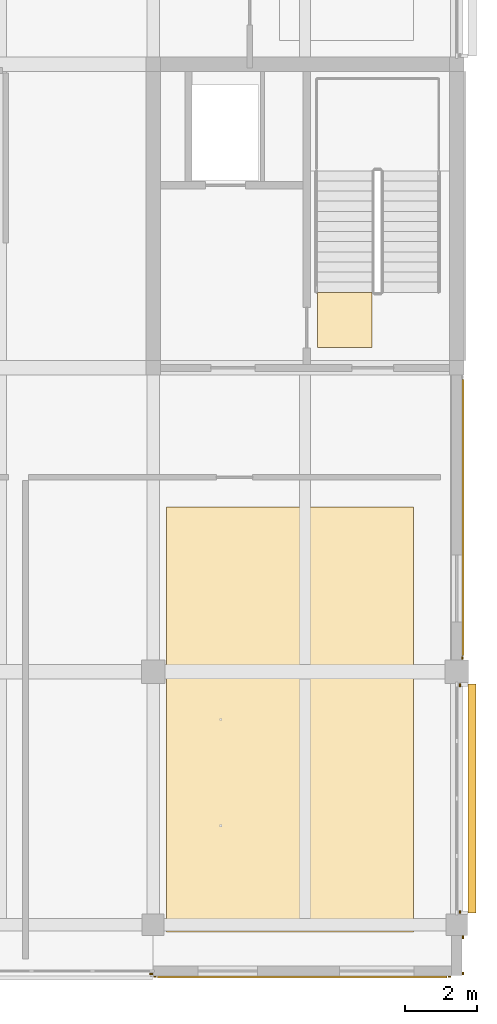
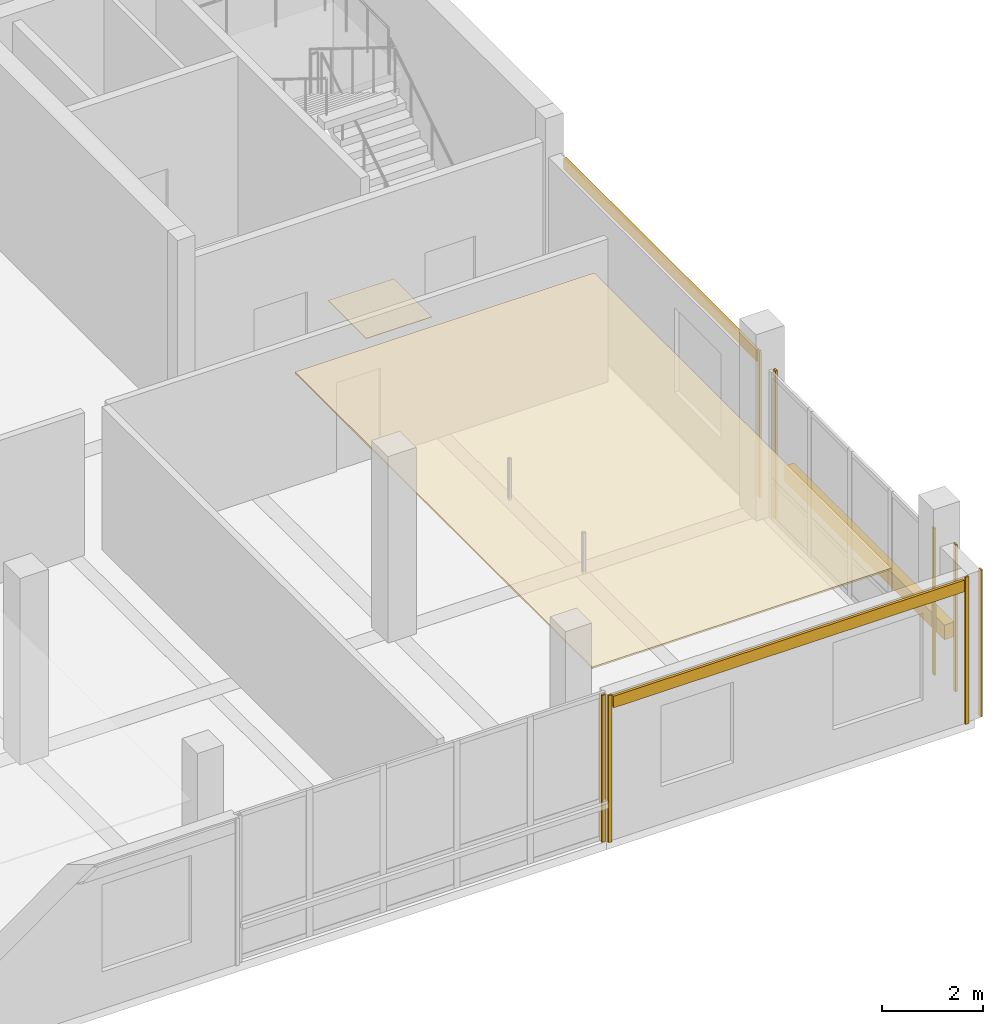
# One storey, part 27 of 30: 12 coverings, 1 shading device.
"""IFC4 building model written with IfcOpenShell, lengths in metres."""

from ifc_helpers import new_model, si_unit, direction, frame, origin, origin_2d, place, context, subcontext, project, spatial, polyline, rectangle, outline, extrude, material, layer, layer_set, type_object, element, save


model = new_model("IFC4")

# Units and contexts
model_context = context("Model", 3, precision=1e-05, world=origin(), true_north=direction((0.0, 1.0)))
body_context = subcontext(model_context, "Body", "Model", "MODEL_VIEW")
ifc_project = project(units=[si_unit("LENGTHUNIT", "METRE"), si_unit("AREAUNIT", "SQUARE_METRE"), si_unit("VOLUMEUNIT", "CUBIC_METRE"), si_unit("PLANEANGLEUNIT", "RADIAN"), si_unit("MASSUNIT", "GRAM", prefix="KILO")], contexts=[model_context])

# Site, building, storey
site_placement = place(None, origin())
site = spatial("IfcSite", under=ifc_project, at=site_placement, CompositionType="ELEMENT")
building_placement = place(site_placement, origin())
building = spatial("IfcBuilding", under=site, at=building_placement, Name="Telukmera Botanical Conservatory", CompositionType="ELEMENT")
storey_placement = place(building_placement, frame((0.0, 0.0, 60.0)))
storey = spatial("IfcBuildingStorey", under=building, at=storey_placement, Name="L13", CompositionType="ELEMENT", Elevation=60.0)

# Coverings
ifc_material_1 = material(Name="Perforated gypsum acoustic ceiling")
ifc_layer_1 = layer(ifc_material_1, 0.0400390625)
ifc_layer_set_1 = layer_set([ifc_layer_1], Name="Perforated gypsum acoustic ceiling")
covering_type_1 = type_object("IfcCoveringType", Name="COV-CEIL-40", PredefinedType="CEILING", material=ifc_layer_set_1)
covering_1_placement = place(storey_placement, frame((0.0, 0.0, 3.31005859375)))
element("IfcCovering", 1, at=covering_1_placement, inside=storey, type_object=covering_type_1, Name="L13 Laboratory Write-Up Studio Suspended Acoustic Ceiling", PredefinedType="CEILING", context=body_context, shape_type="SweptSolid", body=[
    extrude(outline(polyline([(92.77001953125, 10.39990234375), (99.60009765625, 10.39990234375), (99.60009765625, 22.14990234375), (92.77001953125, 22.14990234375), (92.77001953125, 10.39990234375)])), origin(), (0.0, 0.0, 1.0), 0.0400390625),
])
ifc_material_2 = material(Name="Honed granite non-slip flooring", Category="masonry")
ifc_layer_2 = layer(ifc_material_2, 0.011962890625)
ifc_layer_set_2 = layer_set([ifc_layer_2], Name="Honed granite non-slip flooring")
covering_type_2 = type_object("IfcCoveringType", Name="COV-FLR-12", PredefinedType="FLOORING", material=ifc_layer_set_2)
covering_2_placement = place(storey_placement, origin())
element("IfcCovering", 2, at=covering_2_placement, inside=storey, type_object=covering_type_2, Name="L13 ST2 Non-Slip Stair Landing Finish", PredefinedType="FLOORING", context=body_context, shape_type="SweptSolid", body=[
    extrude(outline(polyline([(98.449951171875, 26.570068359375), (98.449951171875, 28.0849609375), (96.949951171875, 28.0849609375), (96.949951171875, 26.570068359375), (98.449951171875, 26.570068359375)])), origin(), (0.0, 0.0, 1.0), 0.011962890625),
])
ifc_material_3 = material(Name="Granite-faced precast concrete C40/50", Category="masonry")
ifc_layer_3 = layer(ifc_material_3, 0.0400390625)
ifc_layer_set_3 = layer_set([ifc_layer_3], Name="Granite-faced precast concrete C40/50")
covering_type_3 = type_object("IfcCoveringType", Name="Granite Precast Column Pier Reveal Casing", PredefinedType="CLADDING", material=ifc_layer_set_3)
for number, where, z_axis, x_axis, name in (
    (3, (100.969970703125, 9.25, 0.0), (0.0, 0.0, 1.0), (0.0, 1.0, 0.0), "Granite Pier Reveal V4:L13:SEC L"),
    (4, (100.969970703125, 10.248046875, 0.0), (0.0, 0.0, 1.0), (0.0, 1.0, 0.0), "Granite Pier Reveal V4:L13:SEC R"),
    (5, (92.347900390625, 9.22998046875, 0.0), (0.0, 0.0, 1.0), (1.0, 0.0, 0.0), "Granite Pier Reveal V4:L13:S4 R"),
    (6, (92.451904296875, 9.159912109375, 0.0), (0.0, 0.0, 1.0), (1.0, 0.0, 0.0), "Granite Pier Reveal V4:L13:S5 L"),
    (7, (100.597900390625, 9.159912109375, 0.0), (0.0, 0.0, 1.0), (1.0, 0.0, 0.0), "Granite Pier Reveal V4:L13:S5 R"),
    (8, (100.889892578125, 10.951904296875, 0.0), (0.0, 0.0, 1.0), (0.0, 1.0, 0.0), "Granite Pier Reveal V4:L13:E1 L"),
    (9, (100.889892578125, 17.222900390625, 0.0), (0.0, 0.0, 1.0), (0.0, 1.0, 0.0), "Granite Pier Reveal V4:L13:E1 R"),
    (10, (100.9599609375, 17.97705078125, 0.0), (0.0, 0.0, 1.0), (0.0, 1.0, 0.0), "Granite Pier Reveal V4:L13:E2 L"),
):
    element("IfcCovering", number, at=place(storey_placement, frame(where, z_axis=z_axis, x_axis=x_axis)), inside=storey, type_object=covering_type_3, Name=name, PredefinedType="CLADDING", context=body_context, shape_type="SweptSolid", body=[
        extrude(rectangle(XDim=0.080078125, YDim=0.0400390625, at=origin_2d()), origin(), (0.0, 0.0, 1.0), 3.550048828125),
    ])

# Shading device
ifc_material_4 = material(Name="Perforated terracotta-anodised aluminium 6063-T6", Category="masonry")
ifc_layer_4 = layer(ifc_material_4, 0.050048828125)
ifc_layer_set_4 = layer_set([ifc_layer_4], Name="Perforated terracotta-anodised aluminium 6063-T6")
shading_device_type = type_object("IfcShadingDeviceType", Name="Operable Monsoon Solar Louvre Shutter Bank", PredefinedType="SHUTTER", material=ifc_layer_set_4)
shading_device_placement = place(storey_placement, frame((101.219970703125, 14.08740234375, 0.77001953125), z_axis=(0.0, 0.0, 1.0), x_axis=(0.0, 1.0, 0.0)))
element("IfcShadingDevice", 11, at=shading_device_placement, inside=storey, type_object=shading_device_type, Name="Monsoon Shading SH01 V4:L13:E1", PredefinedType="SHUTTER", context=body_context, shape_type="SweptSolid", body=[
    extrude(rectangle(XDim=6.3310546875, YDim=0.219970703125, at=origin_2d()), origin(), (0.0, 0.0, 1.0), 0.360107421875),
])

# Coverings
ifc_material_5 = material(Name="Terracotta-faced precast concrete C40/50", Category="masonry")
ifc_layer_5 = layer(ifc_material_5, 0.06005859375)
ifc_layer_set_5 = layer_set([ifc_layer_5], Name="Terracotta-faced precast concrete C40/50")
covering_type_4 = type_object("IfcCoveringType", Name="Polychrome Terracotta Facade Band Cladding", PredefinedType="CLADDING", material=ifc_layer_set_5)
covering_3_placement = place(storey_placement, frame((96.52490234375, 9.14990234375, 3.22998046875), z_axis=(0.0, 0.0, 1.0), x_axis=(1.0, 0.0, 0.0)))
element("IfcCovering", 12, at=covering_3_placement, inside=storey, type_object=covering_type_4, Name="Polychrome Terracotta Band V4:L13:S5", PredefinedType="CLADDING", context=body_context, shape_type="SweptSolid", body=[
    extrude(rectangle(XDim=8.006103515625, YDim=0.06005859375, at=origin_2d()), origin(), (0.0, 0.0, 1.0), 0.280029296875),
])
covering_4_placement = place(storey_placement, frame((100.969970703125, 21.862548828125, 3.22998046875), z_axis=(0.0, 0.0, 1.0), x_axis=(0.0, 1.0, 0.0)))
element("IfcCovering", 13, at=covering_4_placement, inside=storey, type_object=covering_type_4, Name="Polychrome Terracotta Band V4:L13:E2", PredefinedType="CLADDING", context=body_context, shape_type="SweptSolid", body=[
    extrude(rectangle(XDim=7.631103515625, YDim=0.06005859375, at=origin_2d()), origin(), (0.0, 0.0, 1.0), 0.280029296875),
])

save(model, "model.ifc")
